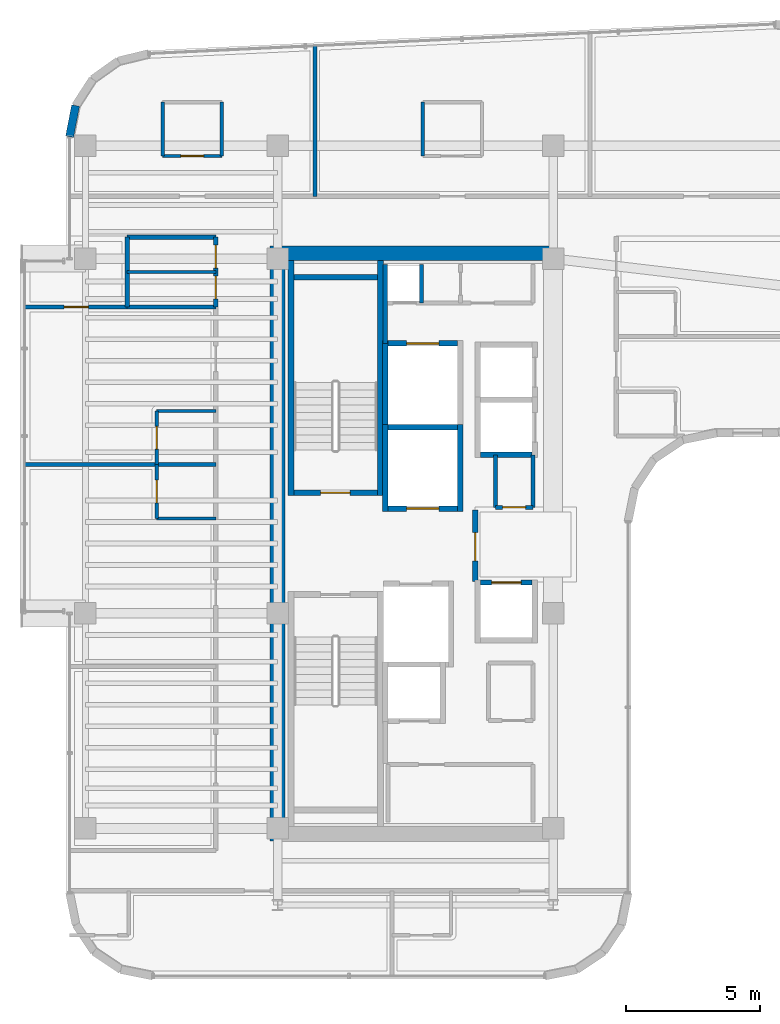
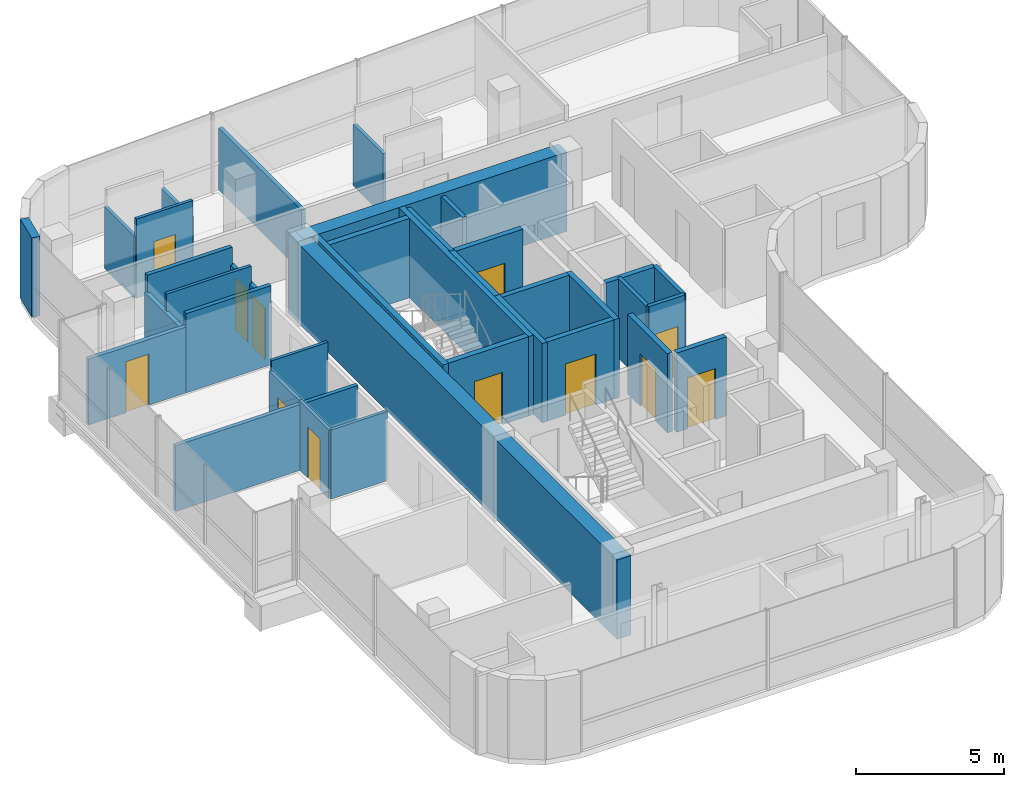
# One storey, part 15 of 20: 37 walls, 12 doors, 12 openings.
"""IFC4 building model written with IfcOpenShell, lengths in metres."""

from ifc_helpers import new_model, si_unit, direction, frame, frame_2d, origin, place, context, subcontext, project, spatial, rectangle, extrude, material, layer, layer_set, type_object, element, fill, save


model = new_model("IFC4")

# Units and contexts
model_context = context("Model", 3, precision=1e-05, world=origin(), true_north=direction((0.0, 1.0)))
body_context = subcontext(model_context, "Body", "Model", "MODEL_VIEW")
ifc_project = project(units=[si_unit("LENGTHUNIT", "METRE"), si_unit("AREAUNIT", "SQUARE_METRE"), si_unit("VOLUMEUNIT", "CUBIC_METRE"), si_unit("PLANEANGLEUNIT", "RADIAN"), si_unit("MASSUNIT", "GRAM", prefix="KILO")], contexts=[model_context])

# Site, building, storey
site_placement = place(None, origin())
site = spatial("IfcSite", under=ifc_project, at=site_placement, CompositionType="ELEMENT")
building_placement = place(site_placement, origin())
building = spatial("IfcBuilding", under=site, at=building_placement, Name="Valdorenza Pilgrim Sanctuary Tower", CompositionType="ELEMENT")
storey_placement = place(building_placement, frame((0.0, 0.0, 240.5)))
storey = spatial("IfcBuildingStorey", under=building, at=storey_placement, Name="L62", CompositionType="ELEMENT", Elevation=240.5)

# Walls
ifc_material_1 = material(Name="Acoustic twin-stud gypsum partition", Category="gypsum")
ifc_layer_1 = layer(ifc_material_1, 0.159912109375, Name="Acoustic twin-stud gypsum partition")
ifc_layer_set_1 = layer_set([ifc_layer_1], Name="Acoustic twin-stud gypsum partition")
wall_type_1 = type_object("IfcWallType", Name="WAL-COR-160", PredefinedType="PARTITIONING", material=ifc_layer_set_1)
wall_1_placement = place(storey_placement, frame((-18.64990234375, 7.449951171875, 0.0), z_axis=(0.0, 0.0, 1.0), x_axis=(0.0, 1.0, 0.0)))
element("IfcWall", 1, at=wall_1_placement, inside=storey, type_object=wall_type_1, Name="L62 Core A North Service West Wall", PredefinedType="PARTITIONING", context=body_context, shape_type="SweptSolid", body=[
    extrude(rectangle(XDim=2.929931640625, YDim=0.159912109375, at=frame_2d((1.46484375, 0.0))), origin(), (0.0, 0.0, 1.0), 3.260009765625),
])
wall_2_placement = place(storey_placement, frame((-17.300048828125, 8.949951171875, 0.0), z_axis=(0.0, 0.0, 1.0), x_axis=(0.0, 1.0, 0.0)))
element("IfcWall", 2, at=wall_2_placement, inside=storey, type_object=wall_type_1, Name="L62 Core Electrical Riser Wall", PredefinedType="PARTITIONING", context=body_context, shape_type="SweptSolid", body=[
    extrude(rectangle(XDim=1.429931640625, YDim=0.159912109375, at=frame_2d((0.71484375, 0.0))), origin(), (0.0, 0.0, 1.0), 3.260009765625),
])
wall_3_placement = place(storey_placement, frame((-13.14990234375, 1.35009765625, 0.0), z_axis=(0.0, 0.0, 1.0), x_axis=(0.0, 1.0, 0.0)))
element("IfcWall", 3, at=wall_3_placement, inside=storey, type_object=wall_type_1, Name="L62 Freed Shaft 6 East Wall", PredefinedType="PARTITIONING", context=body_context, shape_type="SweptSolid", body=[
    extrude(rectangle(XDim=1.949951171875, YDim=0.159912109375, at=frame_2d((0.97509765625, 0.0))), origin(), (0.0, 0.0, 1.0), 3.260009765625),
])
wall_4_placement = place(storey_placement, frame((-28.25, 8.800048828125, 0.0), z_axis=(0.0, 0.0, 1.0), x_axis=(0.0, 1.0, 0.0)))
element("IfcWall", 4, at=wall_4_placement, inside=storey, type_object=wall_type_1, Name="L62 Washroom West Wall", PredefinedType="PARTITIONING", context=body_context, shape_type="SweptSolid", body=[
    extrude(rectangle(XDim=2.599853515625, YDim=0.159912109375, at=frame_2d((1.2998046875, 0.0))), origin(), (0.0, 0.0, 1.0), 2.5439453125),
])

# Wall, openings, doors
wall_5_placement = place(storey_placement, frame((-24.949951171875, 8.800048828125, 0.0), z_axis=(0.0, 0.0, 1.0), x_axis=(0.0, 1.0, 0.0)))
wall_5 = element("IfcWall", 5, at=wall_5_placement, inside=storey, type_object=wall_type_1, Name="L62 Washroom East Wall", PredefinedType="PARTITIONING", context=body_context, shape_type="SweptSolid", body=[
    extrude(rectangle(XDim=2.599853515625, YDim=0.159912109375, at=frame_2d((1.2998046875, 0.0))), origin(), (0.0, 0.0, 1.0), 2.5439453125),
])
opening_1_placement = place(wall_5_placement, frame((0.300048828125, 0.0, 0.0)))
opening_1 = element("IfcOpeningElement", 6, at=opening_1_placement, cuts=wall_5, Name="Opening DR-WC1", PredefinedType="OPENING", context=body_context, shape_type="SweptSolid", body=[
    extrude(rectangle(XDim=0.85009765625, YDim=2.10009765625, at=frame_2d((0.425048828125, 1.050048828125))), frame((0.0, 0.0947265625, 0.0), z_axis=(0.0, -1.0, 0.0), x_axis=(1.0, 0.0, 0.0)), (0.0, 0.0, 1.0), 0.189697265625),
])
opening_2_placement = place(wall_5_placement, frame((1.449951171875, 0.0, 0.0)))
opening_2 = element("IfcOpeningElement", 7, at=opening_2_placement, cuts=wall_5, Name="Opening DR-WC1", PredefinedType="OPENING", context=body_context, shape_type="SweptSolid", body=[
    extrude(rectangle(XDim=0.85009765625, YDim=2.10009765625, at=frame_2d((0.425048828125, 1.050048828125))), frame((0.0, 0.0947265625, 0.0), z_axis=(0.0, -1.0, 0.0), x_axis=(1.0, 0.0, 0.0)), (0.0, 0.0, 1.0), 0.189697265625),
])
ifc_material_2 = material(Name="Moisture-resistant lacquered timber", Category="wood")
door_type_1 = type_object("IfcDoorType", Name="DR-BATH-850", OperationType="NOTDEFINED", PredefinedType="DOOR", material=ifc_material_2)
door_1_placement = place(opening_1_placement, origin())
door_1 = element("IfcDoor", 8, at=door_1_placement, inside=storey, type_object=door_type_1, Name="L62 Accessible Washroom Door", OperationType="SINGLE_SWING_LEFT", OverallHeight=2.10009765625, OverallWidth=0.85009765625, PredefinedType="DOOR", context=body_context, shape_type="SweptSolid", body=[
    extrude(rectangle(XDim=0.85009765625, YDim=2.10009765625, at=frame_2d((0.425048828125, 1.050048828125))), frame((0.0, 0.02490234375, 0.0), z_axis=(0.0, -1.0, 0.0), x_axis=(1.0, 0.0, 0.0)), (0.0, 0.0, 1.0), 0.050048828125),
])
fill(opening_1, door_1)
door_2_placement = place(opening_2_placement, origin())
door_2 = element("IfcDoor", 9, at=door_2_placement, inside=storey, type_object=door_type_1, Name="L62 Public Washroom Door", OperationType="SINGLE_SWING_RIGHT", OverallHeight=2.10009765625, OverallWidth=0.85009765625, PredefinedType="DOOR", context=body_context, shape_type="SweptSolid", body=[
    extrude(rectangle(XDim=0.85009765625, YDim=2.10009765625, at=frame_2d((0.425048828125, 1.050048828125))), frame((0.0, 0.02490234375, 0.0), z_axis=(0.0, -1.0, 0.0), x_axis=(1.0, 0.0, 0.0)), (0.0, 0.0, 1.0), 0.050048828125),
])
fill(opening_2, door_2)

# Walls
for number, where, z_axis, x_axis, name in (
    (10, (-28.25, 8.800048828125, 0.0), (0.0, 0.0, 1.0), (1.0, 0.0, 0.0), "L62 Washroom South Wall"),
    (11, (-28.25, 11.39990234375, 0.0), (0.0, 0.0, 1.0), (1.0, 0.0, 0.0), "L62 Washroom North Wall"),
):
    element("IfcWall", number, at=place(storey_placement, frame(where, z_axis=z_axis, x_axis=x_axis)), inside=storey, type_object=wall_type_1, Name=name, PredefinedType="PARTITIONING", context=body_context, shape_type="SweptSolid", body=[
        extrude(rectangle(XDim=3.300048828125, YDim=0.159912109375, at=frame_2d((1.64990234375, 0.0))), origin(), (0.0, 0.0, 1.0), 3.260009765625),
    ])

# Wall, opening, door
wall_6_placement = place(storey_placement, frame((-32.0400390625, 8.800048828125, 0.0), z_axis=(0.0, 0.0, 1.0), x_axis=(1.0, 0.0, 0.0)))
wall_6 = element("IfcWall", 12, at=wall_6_placement, inside=storey, type_object=wall_type_1, Name="L62 West North Alcove Wall", PredefinedType="PARTITIONING", context=body_context, shape_type="SweptSolid", body=[
    extrude(rectangle(XDim=3.7900390625, YDim=0.159912109375, at=frame_2d((1.89501953125, 0.0))), origin(), (0.0, 0.0, 1.0), 2.7060546875),
])
opening_3_placement = place(wall_6_placement, frame((1.445068359375, 0.0, 0.0)))
opening_3 = element("IfcOpeningElement", 13, at=opening_3_placement, cuts=wall_6, Name="Opening DR-RM1", PredefinedType="OPENING", context=body_context, shape_type="SweptSolid", body=[
    extrude(rectangle(XDim=0.89990234375, YDim=2.10009765625, at=frame_2d((0.449951171875, 1.050048828125))), frame((0.0, 0.0947265625, 0.0), z_axis=(0.0, -1.0, 0.0), x_axis=(1.0, 0.0, 0.0)), (0.0, 0.0, 1.0), 0.189697265625),
])
ifc_material_3 = material(Name="Solid-core European oak timber", Category="wood")
door_type_2 = type_object("IfcDoorType", Name="DR-ROOM-900", OperationType="NOTDEFINED", PredefinedType="DOOR", material=ifc_material_3)
door_3_placement = place(opening_3_placement, frame((0.89990234375, 0.0, 0.0), z_axis=(0.0, 0.0, 1.0), x_axis=(-1.0, 0.0, 0.0)))
door_3 = element("IfcDoor", 14, at=door_3_placement, inside=storey, type_object=door_type_2, Name="L62 Pilgrim Scholar Office L62-WN Door", OperationType="SINGLE_SWING_LEFT", OverallHeight=2.10009765625, OverallWidth=0.89990234375, PredefinedType="DOOR", context=body_context, shape_type="SweptSolid", body=[
    extrude(rectangle(XDim=0.89990234375, YDim=2.10009765625, at=frame_2d((0.449951171875, 1.050048828125))), frame((0.0, 0.02490234375, 0.0), z_axis=(0.0, -1.0, 0.0), x_axis=(1.0, 0.0, 0.0)), (0.0, 0.0, 1.0), 0.050048828125),
])
fill(opening_3, door_3)

# Walls
ifc_material_4 = material(Name="Concrete C50/60", Category="concrete")
ifc_layer_2 = layer(ifc_material_4, 0.550048828125, Name="Concrete C50/60")
ifc_layer_set_2 = layer_set([ifc_layer_2], Name="Concrete C50/60")
wall_type_2 = type_object("IfcWallType", Name="WAL-COR-550", PredefinedType="SHEAR", material=ifc_layer_set_2)
wall_7_placement = place(storey_placement, frame((-22.64990234375, -11.074951171875, 0.0), z_axis=(0.0, 0.0, 1.0), x_axis=(0.0, 1.0, 0.0)))
element("IfcWall", 15, at=wall_7_placement, inside=storey, type_object=wall_type_2, Name="L62 Split Core A Shear Wall W", PredefinedType="SHEAR", context=body_context, shape_type="SweptSolid", body=[
    extrude(rectangle(XDim=22.14990234375, YDim=0.550048828125, at=frame_2d((11.074951171875, 0.0))), origin(), (0.0, 0.0, 1.0), 3.260009765625),
])
wall_8_placement = place(storey_placement, frame((-22.64990234375, 10.800048828125, 0.0), z_axis=(0.0, 0.0, 1.0), x_axis=(1.0, 0.0, 0.0)))
element("IfcWall", 16, at=wall_8_placement, inside=storey, type_object=wall_type_2, Name="L62 Split Core A Shear Wall N", PredefinedType="SHEAR", context=body_context, shape_type="SweptSolid", body=[
    extrude(rectangle(XDim=10.25, YDim=0.550048828125, at=frame_2d((5.125, 0.0))), origin(), (0.0, 0.0, 1.0), 3.260009765625),
])
ifc_material_5 = material(Name="Honed travertine limestone", Category="masonry")
ifc_layer_3 = layer(ifc_material_5, 0.300048828125, Name="Honed travertine limestone")
ifc_layer_set_3 = layer_set([ifc_layer_3], Name="Honed travertine limestone")
wall_type_3 = type_object("IfcWallType", Name="WAL-EXT-300", PredefinedType="SOLIDWALL", material=ifc_layer_set_3)
wall_9_placement = place(storey_placement, frame((-30.389892578125, 15.13671875, 0.0), z_axis=(0.0, 0.0, 1.0), x_axis=(0.189307792679, 0.981917796779, 0.0)))
element("IfcWall", 17, at=wall_9_placement, inside=storey, type_object=wall_type_3, Name="L62 Rounded Wind-Corner Stone Pier 2", PredefinedType="SOLIDWALL", context=body_context, shape_type="SweptSolid", body=[
    extrude(rectangle(XDim=1.179931640625, YDim=0.300048828125, at=frame_2d((0.58984375, 0.0))), origin(), (0.0, 0.0, 1.0), 3.260009765625),
])

# Wall, opening, door
ifc_material_6 = material(Name="Gypsum shaftwall partition", Category="gypsum")
ifc_layer_4 = layer(ifc_material_6, 0.199951171875, Name="Gypsum shaftwall partition")
ifc_layer_set_4 = layer_set([ifc_layer_4], Name="Gypsum shaftwall partition")
wall_type_4 = type_object("IfcWallType", Name="WAL-FFL-200", PredefinedType="PARTITIONING", material=ifc_layer_set_4)
wall_10_placement = place(storey_placement, frame((-15.300048828125, -1.419921875, 0.0), z_axis=(0.0, 0.0, 1.0), x_axis=(0.0, 1.0, 0.0)))
wall_10 = element("IfcWall", 18, at=wall_10_placement, inside=storey, type_object=wall_type_4, Name="L62 Core A Firefighting Lobby East Wall", PredefinedType="PARTITIONING", context=body_context, shape_type="SweptSolid", body=[
    extrude(rectangle(XDim=2.669921875, YDim=0.199951171875, at=frame_2d((1.3349609375, 0.0))), origin(), (0.0, 0.0, 1.0), 3.260009765625),
])
opening_4_placement = place(wall_10_placement, frame((0.780029296875, 0.0, 0.0)))
opening_4 = element("IfcOpeningElement", 19, at=opening_4_placement, cuts=wall_10, Name="Opening DR-FL1", PredefinedType="OPENING", context=body_context, shape_type="SweptSolid", body=[
    extrude(rectangle(XDim=1.050048828125, YDim=2.14990234375, at=frame_2d((0.52490234375, 1.074951171875))), frame((0.0, 0.11474609375, 0.0), z_axis=(0.0, -1.0, 0.0), x_axis=(1.0, 0.0, 0.0)), (0.0, 0.0, 1.0), 0.229736328125),
])
ifc_material_7 = material(Name="Painted galvanized steel", Category="steel")
door_type_3 = type_object("IfcDoorType", Name="DR-FFL-1050", OperationType="NOTDEFINED", PredefinedType="DOOR", material=ifc_material_7)
door_4_placement = place(opening_4_placement, origin())
door_4 = element("IfcDoor", 20, at=door_4_placement, inside=storey, type_object=door_type_3, Name="L62 Core A Firefighting Lobby Door", OperationType="SINGLE_SWING_RIGHT", OverallHeight=2.14990234375, OverallWidth=1.050048828125, PredefinedType="DOOR", context=body_context, shape_type="SweptSolid", body=[
    extrude(rectangle(XDim=1.050048828125, YDim=2.14990234375, at=frame_2d((0.52490234375, 1.074951171875))), frame((0.0, 0.02490234375, 0.0), z_axis=(0.0, -1.0, 0.0), x_axis=(1.0, 0.0, 0.0)), (0.0, 0.0, 1.0), 0.050048828125),
])
fill(opening_4, door_4)

# Walls
ifc_material_8 = material(Name="Moisture-resistant gypsum partition", Category="gypsum")
ifc_layer_5 = layer(ifc_material_8, 0.1201171875, Name="Moisture-resistant gypsum partition")
ifc_layer_set_5 = layer_set([ifc_layer_5], Name="Moisture-resistant gypsum partition")
wall_type_5 = type_object("IfcWallType", Name="WAL-INT-120", PredefinedType="PARTITIONING", material=ifc_layer_set_5)
wall_11_placement = place(storey_placement, frame((-28.25, 10.10009765625, 0.0), z_axis=(0.0, 0.0, 1.0), x_axis=(1.0, 0.0, 0.0)))
element("IfcWall", 21, at=wall_11_placement, inside=storey, type_object=wall_type_5, Name="L62 Washroom Divider Wall", PredefinedType="PARTITIONING", context=body_context, shape_type="SweptSolid", body=[
    extrude(rectangle(XDim=3.300048828125, YDim=0.1201171875, at=frame_2d((1.64990234375, 0.0))), origin(), (0.0, 0.0, 1.0), 3.260009765625),
])
wall_12_placement = place(storey_placement, frame((-27.14990234375, 0.93603515625, 0.0), z_axis=(0.0, 0.0, 1.0), x_axis=(1.0, 0.0, 0.0)))
element("IfcWall", 22, at=wall_12_placement, inside=storey, type_object=wall_type_5, Name="L62 Pilgrim Guest Room L62-HW1 En-suite South Wall", PredefinedType="PARTITIONING", context=body_context, shape_type="SweptSolid", body=[
    extrude(rectangle(XDim=2.199951171875, YDim=0.1201171875, at=frame_2d((1.10009765625, 0.0))), origin(), (0.0, 0.0, 1.0), 2.839111328125),
])

# Wall, opening, door
wall_13_placement = place(storey_placement, frame((-27.14990234375, 0.93603515625, 0.0), z_axis=(0.0, 0.0, 1.0), x_axis=(0.0, 1.0, 0.0)))
wall_13 = element("IfcWall", 23, at=wall_13_placement, inside=storey, type_object=wall_type_5, Name="L62 Pilgrim Guest Room L62-HW1 En-suite Door Wall", PredefinedType="PARTITIONING", context=body_context, shape_type="SweptSolid", body=[
    extrude(rectangle(XDim=2.0, YDim=0.1201171875, at=frame_2d((1.0, 0.0))), origin(), (0.0, 0.0, 1.0), 2.839111328125),
])
opening_5_placement = place(wall_13_placement, frame((0.574951171875, 0.0, 0.0)))
opening_5 = element("IfcOpeningElement", 24, at=opening_5_placement, cuts=wall_13, Name="Opening DR-WC1", PredefinedType="OPENING", context=body_context, shape_type="SweptSolid", body=[
    extrude(rectangle(XDim=0.85009765625, YDim=2.10009765625, at=frame_2d((0.425048828125, 1.050048828125))), frame((0.0, 0.074951171875, 0.0), z_axis=(0.0, -1.0, 0.0), x_axis=(1.0, 0.0, 0.0)), (0.0, 0.0, 1.0), 0.14990234375),
])
door_5_placement = place(opening_5_placement, origin())
door_5 = element("IfcDoor", 25, at=door_5_placement, inside=storey, type_object=door_type_1, Name="L62 Pilgrim Guest Room L62-HW1 En-suite Bathroom Door", OperationType="SINGLE_SWING_RIGHT", OverallHeight=2.10009765625, OverallWidth=0.85009765625, PredefinedType="DOOR", context=body_context, shape_type="SweptSolid", body=[
    extrude(rectangle(XDim=0.85009765625, YDim=2.10009765625, at=frame_2d((0.425048828125, 1.050048828125))), frame((0.0, 0.02490234375, 0.0), z_axis=(0.0, -1.0, 0.0), x_axis=(1.0, 0.0, 0.0)), (0.0, 0.0, 1.0), 0.050048828125),
])
fill(opening_5, door_5)

# Wall
wall_14_placement = place(storey_placement, frame((-27.14990234375, 4.93603515625, 0.0), z_axis=(0.0, 0.0, 1.0), x_axis=(1.0, 0.0, 0.0)))
element("IfcWall", 26, at=wall_14_placement, inside=storey, type_object=wall_type_5, Name="L62 Pilgrim Guest Room L62-HW2 En-suite North Wall", PredefinedType="PARTITIONING", context=body_context, shape_type="SweptSolid", body=[
    extrude(rectangle(XDim=2.199951171875, YDim=0.1201171875, at=frame_2d((1.10009765625, 0.0))), origin(), (0.0, 0.0, 1.0), 3.260009765625),
])

# Wall, opening, door
wall_15_placement = place(storey_placement, frame((-27.14990234375, 2.93603515625, 0.0), z_axis=(0.0, 0.0, 1.0), x_axis=(0.0, 1.0, 0.0)))
wall_15 = element("IfcWall", 27, at=wall_15_placement, inside=storey, type_object=wall_type_5, Name="L62 Pilgrim Guest Room L62-HW2 En-suite Door Wall", PredefinedType="PARTITIONING", context=body_context, shape_type="SweptSolid", body=[
    extrude(rectangle(XDim=2.0, YDim=0.1201171875, at=frame_2d((1.0, 0.0))), origin(), (0.0, 0.0, 1.0), 2.839111328125),
])
opening_6_placement = place(wall_15_placement, frame((0.574951171875, 0.0, 0.0)))
opening_6 = element("IfcOpeningElement", 28, at=opening_6_placement, cuts=wall_15, Name="Opening DR-WC1", PredefinedType="OPENING", context=body_context, shape_type="SweptSolid", body=[
    extrude(rectangle(XDim=0.85009765625, YDim=2.10009765625, at=frame_2d((0.425048828125, 1.050048828125))), frame((0.0, 0.074951171875, 0.0), z_axis=(0.0, -1.0, 0.0), x_axis=(1.0, 0.0, 0.0)), (0.0, 0.0, 1.0), 0.14990234375),
])
door_6_placement = place(opening_6_placement, origin())
door_6 = element("IfcDoor", 29, at=door_6_placement, inside=storey, type_object=door_type_1, Name="L62 Pilgrim Guest Room L62-HW2 En-suite Bathroom Door", OperationType="SINGLE_SWING_RIGHT", OverallHeight=2.10009765625, OverallWidth=0.85009765625, PredefinedType="DOOR", context=body_context, shape_type="SweptSolid", body=[
    extrude(rectangle(XDim=0.85009765625, YDim=2.10009765625, at=frame_2d((0.425048828125, 1.050048828125))), frame((0.0, 0.02490234375, 0.0), z_axis=(0.0, -1.0, 0.0), x_axis=(1.0, 0.0, 0.0)), (0.0, 0.0, 1.0), 0.050048828125),
])
fill(opening_6, door_6)

# Walls
for number, where, z_axis, x_axis, name in (
    (30, (-26.928466796875, 14.419921875, 0.0), (0.0, 0.0, 1.0), (0.0, 1.0, 0.0), "L62 North Guest Room L62-N1 En-suite West Wall"),
    (31, (-24.728515625, 14.419921875, 0.0), (0.0, 0.0, 1.0), (0.0, 1.0, 0.0), "L62 North Guest Room L62-N1 En-suite East Wall"),
):
    element("IfcWall", number, at=place(storey_placement, frame(where, z_axis=z_axis, x_axis=x_axis)), inside=storey, type_object=wall_type_5, Name=name, PredefinedType="PARTITIONING", context=body_context, shape_type="SweptSolid", body=[
        extrude(rectangle(XDim=2.0, YDim=0.1201171875, at=frame_2d((1.0, 0.0))), origin(), (0.0, 0.0, 1.0), 2.5439453125),
    ])

# Wall, opening, door
wall_16_placement = place(storey_placement, frame((-26.928466796875, 14.419921875, 0.0), z_axis=(0.0, 0.0, 1.0), x_axis=(1.0, 0.0, 0.0)))
wall_16 = element("IfcWall", 32, at=wall_16_placement, inside=storey, type_object=wall_type_5, Name="L62 North Guest Room L62-N1 En-suite Door Wall", PredefinedType="PARTITIONING", context=body_context, shape_type="SweptSolid", body=[
    extrude(rectangle(XDim=2.199951171875, YDim=0.1201171875, at=frame_2d((1.10009765625, 0.0))), origin(), (0.0, 0.0, 1.0), 3.260009765625),
])
opening_7_placement = place(wall_16_placement, frame((0.675048828125, 0.0, 0.0)))
opening_7 = element("IfcOpeningElement", 33, at=opening_7_placement, cuts=wall_16, Name="Opening DR-WC1", PredefinedType="OPENING", context=body_context, shape_type="SweptSolid", body=[
    extrude(rectangle(XDim=0.85009765625, YDim=2.10009765625, at=frame_2d((0.425048828125, 1.050048828125))), frame((0.0, 0.074951171875, 0.0), z_axis=(0.0, -1.0, 0.0), x_axis=(1.0, 0.0, 0.0)), (0.0, 0.0, 1.0), 0.14990234375),
])
door_7_placement = place(opening_7_placement, origin())
door_7 = element("IfcDoor", 34, at=door_7_placement, inside=storey, type_object=door_type_1, Name="L62 North Guest Room L62-N1 En-suite Bathroom Door", OperationType="SINGLE_SWING_RIGHT", OverallHeight=2.10009765625, OverallWidth=0.85009765625, PredefinedType="DOOR", context=body_context, shape_type="SweptSolid", body=[
    extrude(rectangle(XDim=0.85009765625, YDim=2.10009765625, at=frame_2d((0.425048828125, 1.050048828125))), frame((0.0, 0.02490234375, 0.0), z_axis=(0.0, -1.0, 0.0), x_axis=(1.0, 0.0, 0.0)), (0.0, 0.0, 1.0), 0.050048828125),
])
fill(opening_7, door_7)

# Walls
wall_17_placement = place(storey_placement, frame((-17.25, 14.419921875, 0.0), z_axis=(0.0, 0.0, 1.0), x_axis=(0.0, 1.0, 0.0)))
element("IfcWall", 35, at=wall_17_placement, inside=storey, type_object=wall_type_5, Name="L62 North Guest Room L62-N2 En-suite West Wall", PredefinedType="PARTITIONING", context=body_context, shape_type="SweptSolid", body=[
    extrude(rectangle(XDim=2.0, YDim=0.1201171875, at=frame_2d((1.0, 0.0))), origin(), (0.0, 0.0, 1.0), 2.5439453125),
])
ifc_material_9 = material(Name="Autoclaved aerated concrete blockwork", Category="masonry")
ifc_layer_6 = layer(ifc_material_9, 0.199951171875, Name="Autoclaved aerated concrete blockwork")
ifc_layer_set_6 = layer_set([ifc_layer_6], Name="Autoclaved aerated concrete blockwork")
wall_type_6 = type_object("IfcWallType", Name="WAL-SHF-200", PredefinedType="MOVABLE", material=ifc_layer_set_6)
for number, where, z_axis, x_axis, name in (
    (36, (-18.64990234375, 1.199951171875, 0.0), (0.0, 0.0, 1.0), (0.0, 1.0, 0.0), "L62 Lift FFL-01 Hoistway Wall West"),
    (37, (-15.85009765625, 1.199951171875, 0.0), (0.0, 0.0, 1.0), (0.0, 1.0, 0.0), "L62 Lift FFL-01 Hoistway Wall East"),
):
    element("IfcWall", number, at=place(storey_placement, frame(where, z_axis=z_axis, x_axis=x_axis)), inside=storey, type_object=wall_type_6, Name=name, PredefinedType="MOVABLE", context=body_context, shape_type="SweptSolid", body=[
        extrude(rectangle(XDim=3.22509765625, YDim=0.199951171875, at=frame_2d((1.612548828125, 0.0))), origin(), (0.0, 0.0, 1.0), 3.260009765625),
    ])

# Wall, opening, door
wall_18_placement = place(storey_placement, frame((-18.550048828125, 1.300048828125, 0.0), z_axis=(0.0, 0.0, 1.0), x_axis=(1.0, 0.0, 0.0)))
wall_18 = element("IfcWall", 38, at=wall_18_placement, inside=storey, type_object=wall_type_6, Name="L62 Lift FFL-01 Hoistway Wall South", PredefinedType="MOVABLE", context=body_context, shape_type="SweptSolid", body=[
    extrude(rectangle(XDim=2.60009765625, YDim=0.199951171875, at=frame_2d((1.300048828125, 0.0))), origin(), (0.0, 0.0, 1.0), 3.260009765625),
])
opening_8_placement = place(wall_18_placement, frame((0.699951171875, 0.0, 0.0)))
opening_8 = element("IfcOpeningElement", 39, at=opening_8_placement, cuts=wall_18, Name="Opening LD-02", PredefinedType="OPENING", context=body_context, shape_type="SweptSolid", body=[
    extrude(rectangle(XDim=1.199951171875, YDim=2.10009765625, at=frame_2d((0.60009765625, 1.050048828125))), frame((0.0, 0.11474609375, 0.0), z_axis=(0.0, -1.0, 0.0), x_axis=(1.0, 0.0, 0.0)), (0.0, 0.0, 1.0), 0.229736328125),
])
ifc_material_10 = material(Name="Brushed stainless steel Grade 316", Category="steel")
door_type_4 = type_object("IfcDoorType", Name="DR-LFT-1200", OperationType="DOUBLE_DOOR_SLIDING", PredefinedType="DOOR", material=ifc_material_10)
door_8_placement = place(opening_8_placement, origin())
door_8 = element("IfcDoor", 40, at=door_8_placement, inside=storey, type_object=door_type_4, Name="L62 Lift FFL-01 Sliding Landing Door", OperationType="DOUBLE_DOOR_SLIDING", OverallHeight=2.10009765625, OverallWidth=1.199951171875, PredefinedType="DOOR", context=body_context, shape_type="SweptSolid", body=[
    extrude(rectangle(XDim=1.199951171875, YDim=2.10009765625, at=frame_2d((0.60009765625, 1.050048828125))), frame((0.0, 0.02490234375, 0.0), z_axis=(0.0, -1.0, 0.0), x_axis=(1.0, 0.0, 0.0)), (0.0, 0.0, 1.0), 0.050048828125),
])
fill(opening_8, door_8)

# Walls
wall_19_placement = place(storey_placement, frame((-18.550048828125, 4.324951171875, 0.0), z_axis=(0.0, 0.0, 1.0), x_axis=(1.0, 0.0, 0.0)))
element("IfcWall", 41, at=wall_19_placement, inside=storey, type_object=wall_type_6, Name="L62 Lift FFL-01 Hoistway Wall North", PredefinedType="MOVABLE", context=body_context, shape_type="SweptSolid", body=[
    extrude(rectangle(XDim=2.60009765625, YDim=0.199951171875, at=frame_2d((1.300048828125, 0.0))), origin(), (0.0, 0.0, 1.0), 3.260009765625),
])
wall_20_placement = place(storey_placement, frame((-18.64990234375, 4.22509765625, 0.0), z_axis=(0.0, 0.0, 1.0), x_axis=(0.0, 1.0, 0.0)))
element("IfcWall", 42, at=wall_20_placement, inside=storey, type_object=wall_type_6, Name="L62 Lift SVL-01 Hoistway Wall West", PredefinedType="MOVABLE", context=body_context, shape_type="SweptSolid", body=[
    extrude(rectangle(XDim=3.324951171875, YDim=0.199951171875, at=frame_2d((1.66259765625, 0.0))), origin(), (0.0, 0.0, 1.0), 3.260009765625),
])

# Wall, opening, door
wall_21_placement = place(storey_placement, frame((-18.550048828125, 7.449951171875, 0.0), z_axis=(0.0, 0.0, 1.0), x_axis=(1.0, 0.0, 0.0)))
wall_21 = element("IfcWall", 43, at=wall_21_placement, inside=storey, type_object=wall_type_6, Name="L62 Lift SVL-01 Hoistway Wall North", PredefinedType="MOVABLE", context=body_context, shape_type="SweptSolid", body=[
    extrude(rectangle(XDim=2.60009765625, YDim=0.199951171875, at=frame_2d((1.300048828125, 0.0))), origin(), (0.0, 0.0, 1.0), 3.260009765625),
])
opening_9_placement = place(wall_21_placement, frame((0.699951171875, 0.0, 0.0)))
opening_9 = element("IfcOpeningElement", 44, at=opening_9_placement, cuts=wall_21, Name="Opening LD-02", PredefinedType="OPENING", context=body_context, shape_type="SweptSolid", body=[
    extrude(rectangle(XDim=1.199951171875, YDim=2.10009765625, at=frame_2d((0.60009765625, 1.050048828125))), frame((0.0, 0.11474609375, 0.0), z_axis=(0.0, -1.0, 0.0), x_axis=(1.0, 0.0, 0.0)), (0.0, 0.0, 1.0), 0.229736328125),
])
door_9_placement = place(opening_9_placement, origin())
door_9 = element("IfcDoor", 45, at=door_9_placement, inside=storey, type_object=door_type_4, Name="L62 Lift SVL-01 Sliding Landing Door", OperationType="DOUBLE_DOOR_SLIDING", OverallHeight=2.10009765625, OverallWidth=1.199951171875, PredefinedType="DOOR", context=body_context, shape_type="SweptSolid", body=[
    extrude(rectangle(XDim=1.199951171875, YDim=2.10009765625, at=frame_2d((0.60009765625, 1.050048828125))), frame((0.0, 0.02490234375, 0.0), z_axis=(0.0, -1.0, 0.0), x_axis=(1.0, 0.0, 0.0)), (0.0, 0.0, 1.0), 0.050048828125),
])
fill(opening_9, door_9)

# Wall
wall_22_placement = place(storey_placement, frame((-15.10009765625, 3.300048828125, 0.0), z_axis=(0.0, 0.0, 1.0), x_axis=(1.0, 0.0, 0.0)))
element("IfcWall", 46, at=wall_22_placement, inside=storey, type_object=wall_type_6, Name="L62 Lift PL-09 Hoistway Wall South", PredefinedType="MOVABLE", context=body_context, shape_type="SweptSolid", body=[
    extrude(rectangle(XDim=1.920166015625, YDim=0.199951171875, at=frame_2d((0.9599609375, 0.0))), origin(), (0.0, 0.0, 1.0), 3.260009765625),
])

# Wall, opening, door
wall_23_placement = place(storey_placement, frame((-15.10009765625, -1.449951171875, 0.0), z_axis=(0.0, 0.0, 1.0), x_axis=(1.0, 0.0, 0.0)))
wall_23 = element("IfcWall", 47, at=wall_23_placement, inside=storey, type_object=wall_type_6, Name="L62 Lift PL-12 Hoistway Wall North", PredefinedType="MOVABLE", context=body_context, shape_type="SweptSolid", body=[
    extrude(rectangle(XDim=1.920166015625, YDim=0.199951171875, at=frame_2d((0.9599609375, 0.0))), origin(), (0.0, 0.0, 1.0), 3.260009765625),
])
opening_10_placement = place(wall_23_placement, frame((0.409912109375, 0.0, 0.0)))
opening_10 = element("IfcOpeningElement", 48, at=opening_10_placement, cuts=wall_23, Name="Opening LD-01", PredefinedType="OPENING", context=body_context, shape_type="SweptSolid", body=[
    extrude(rectangle(XDim=1.10009765625, YDim=2.10009765625, at=frame_2d((0.550048828125, 1.050048828125))), frame((0.0, 0.11474609375, 0.0), z_axis=(0.0, -1.0, 0.0), x_axis=(1.0, 0.0, 0.0)), (0.0, 0.0, 1.0), 0.229736328125),
])
door_type_5 = type_object("IfcDoorType", Name="DR-LFT-1100", OperationType="DOUBLE_DOOR_SLIDING", PredefinedType="DOOR", material=ifc_material_10)
door_10_placement = place(opening_10_placement, origin())
door_10 = element("IfcDoor", 49, at=door_10_placement, inside=storey, type_object=door_type_5, Name="L62 Lift PL-12 Sliding Landing Door", OperationType="DOUBLE_DOOR_SLIDING", OverallHeight=2.10009765625, OverallWidth=1.10009765625, PredefinedType="DOOR", context=body_context, shape_type="SweptSolid", body=[
    extrude(rectangle(XDim=1.10009765625, YDim=2.10009765625, at=frame_2d((0.550048828125, 1.050048828125))), frame((0.0, 0.02490234375, 0.0), z_axis=(0.0, -1.0, 0.0), x_axis=(1.0, 0.0, 0.0)), (0.0, 0.0, 1.0), 0.050048828125),
])
fill(opening_10, door_10)

# Walls
ifc_material_11 = material(Name="Concrete C40/50", Category="concrete")
ifc_layer_7 = layer(ifc_material_11, 0.219970703125, Name="Concrete C40/50")
ifc_layer_set_7 = layer_set([ifc_layer_7], Name="Concrete C40/50")
wall_type_7 = type_object("IfcWallType", Name="WAL-STR-SHF-220", PredefinedType="SHEAR", material=ifc_layer_set_7)
for number, where, z_axis, x_axis, name in (
    (50, (-22.159912109375, 1.780029296875, 0.0), (0.0, 0.0, 1.0), (0.0, 1.0, 0.0), "L62 ST-A1 Structural Stairwell Wall W"),
    (51, (-18.830078125, 1.780029296875, 0.0), (0.0, 0.0, 1.0), (0.0, 1.0, 0.0), "L62 ST-A1 Structural Stairwell Wall E"),
):
    element("IfcWall", number, at=place(storey_placement, frame(where, z_axis=z_axis, x_axis=x_axis)), inside=storey, type_object=wall_type_7, Name=name, PredefinedType="SHEAR", context=body_context, shape_type="SweptSolid", body=[
        extrude(rectangle(XDim=8.744873046875, YDim=0.219970703125, at=frame_2d((4.37255859375, 0.0))), origin(), (0.0, 0.0, 1.0), 3.260009765625),
    ])

# Wall, opening, door
wall_24_placement = place(storey_placement, frame((-22.050048828125, 1.889892578125, 0.0), z_axis=(0.0, 0.0, 1.0), x_axis=(1.0, 0.0, 0.0)))
wall_24 = element("IfcWall", 52, at=wall_24_placement, inside=storey, type_object=wall_type_7, Name="L62 ST-A1 Structural Stairwell Wall S", PredefinedType="SHEAR", context=body_context, shape_type="SweptSolid", body=[
    extrude(rectangle(XDim=3.110107421875, YDim=0.219970703125, at=frame_2d((1.55517578125, 0.0))), origin(), (0.0, 0.0, 1.0), 3.260009765625),
])
opening_11_placement = place(wall_24_placement, frame((1.0, 0.0, 0.0)))
opening_11 = element("IfcOpeningElement", 53, at=opening_11_placement, cuts=wall_24, Name="Opening DR-ST1", PredefinedType="OPENING", context=body_context, shape_type="SweptSolid", body=[
    extrude(rectangle(XDim=1.10009765625, YDim=2.14990234375, at=frame_2d((0.550048828125, 1.074951171875))), frame((0.0, 0.125, 0.0), z_axis=(0.0, -1.0, 0.0), x_axis=(1.0, 0.0, 0.0)), (0.0, 0.0, 1.0), 0.249755859375),
])
door_type_6 = type_object("IfcDoorType", Name="DR-STAIR-1100", OperationType="NOTDEFINED", PredefinedType="DOOR", material=ifc_material_7)
door_11_placement = place(opening_11_placement, frame((1.10009765625, 0.0, 0.0), z_axis=(0.0, 0.0, 1.0), x_axis=(-1.0, 0.0, 0.0)))
door_11 = element("IfcDoor", 54, at=door_11_placement, inside=storey, type_object=door_type_6, Name="L62 Exit Stair ST-A1 Door", OperationType="SINGLE_SWING_LEFT", OverallHeight=2.14990234375, OverallWidth=1.10009765625, PredefinedType="DOOR", context=body_context, shape_type="SweptSolid", body=[
    extrude(rectangle(XDim=1.10009765625, YDim=2.14990234375, at=frame_2d((0.550048828125, 1.074951171875))), frame((0.0, 0.02490234375, 0.0), z_axis=(0.0, -1.0, 0.0), x_axis=(1.0, 0.0, 0.0)), (0.0, 0.0, 1.0), 0.050048828125),
])
fill(opening_11, door_11)

# Walls
wall_25_placement = place(storey_placement, frame((-22.050048828125, 9.909912109375, 0.0), z_axis=(0.0, 0.0, 1.0), x_axis=(1.0, 0.0, 0.0)))
element("IfcWall", 55, at=wall_25_placement, inside=storey, type_object=wall_type_7, Name="L62 ST-A1 Structural Stairwell Wall N", PredefinedType="SHEAR", context=body_context, shape_type="SweptSolid", body=[
    extrude(rectangle(XDim=3.110107421875, YDim=0.219970703125, at=frame_2d((1.55517578125, 0.0))), origin(), (0.0, 0.0, 1.0), 3.260009765625),
])
ifc_layer_8 = layer(ifc_material_1, 0.14990234375, Name="Acoustic twin-stud gypsum partition")
ifc_layer_set_8 = layer_set([ifc_layer_8], Name="Acoustic twin-stud gypsum partition")
wall_type_8 = type_object("IfcWallType", Name="WAL-UNT-150", PredefinedType="PARTITIONING", material=ifc_layer_set_8)
wall_26_placement = place(storey_placement, frame((-14.550048828125, 1.35009765625, 0.0), z_axis=(0.0, 0.0, 1.0), x_axis=(0.0, 1.0, 0.0)))
element("IfcWall", 56, at=wall_26_placement, inside=storey, type_object=wall_type_8, Name="L62 Freed Shaft 6 West Wall", PredefinedType="PARTITIONING", context=body_context, shape_type="SweptSolid", body=[
    extrude(rectangle(XDim=1.949951171875, YDim=0.14990234375, at=frame_2d((0.97509765625, 0.0))), origin(), (0.0, 0.0, 1.0), 3.260009765625),
])

# Wall, opening, door
wall_27_placement = place(storey_placement, frame((-14.550048828125, 1.35009765625, 0.0), z_axis=(0.0, 0.0, 1.0), x_axis=(1.0, 0.0, 0.0)))
wall_27 = element("IfcWall", 57, at=wall_27_placement, inside=storey, type_object=wall_type_8, Name="L62 Freed Shaft 6 South Wall", PredefinedType="PARTITIONING", context=body_context, shape_type="SweptSolid", body=[
    extrude(rectangle(XDim=1.400146484375, YDim=0.14990234375, at=frame_2d((0.7001953125, 0.0))), origin(), (0.0, 0.0, 1.0), 3.260009765625),
])
opening_12_placement = place(wall_27_placement, frame((0.27490234375, 0.0, 0.0)))
opening_12 = element("IfcOpeningElement", 58, at=opening_12_placement, cuts=wall_27, Name="Opening DR-RS1", PredefinedType="OPENING", context=body_context, shape_type="SweptSolid", body=[
    extrude(rectangle(XDim=0.85009765625, YDim=2.050048828125, at=frame_2d((0.425048828125, 1.02490234375))), frame((0.0, 0.08984375, 0.0), z_axis=(0.0, -1.0, 0.0), x_axis=(1.0, 0.0, 0.0)), (0.0, 0.0, 1.0), 0.1796875),
])
door_type_7 = type_object("IfcDoorType", Name="DR-RSR-850", OperationType="NOTDEFINED", PredefinedType="DOOR", material=ifc_material_7)
door_12_placement = place(opening_12_placement, origin())
door_12 = element("IfcDoor", 59, at=door_12_placement, inside=storey, type_object=door_type_7, Name="L62 High-Rise Butler Pantry Door", OperationType="SINGLE_SWING_RIGHT", OverallHeight=2.050048828125, OverallWidth=0.85009765625, PredefinedType="DOOR", context=body_context, shape_type="SweptSolid", body=[
    extrude(rectangle(XDim=0.85009765625, YDim=2.050048828125, at=frame_2d((0.425048828125, 1.02490234375))), frame((0.0, 0.02490234375, 0.0), z_axis=(0.0, -1.0, 0.0), x_axis=(1.0, 0.0, 0.0)), (0.0, 0.0, 1.0), 0.050048828125),
])
fill(opening_12, door_12)

# Walls
wall_28_placement = place(storey_placement, frame((-32.0400390625, 2.93603515625, 0.0), z_axis=(0.0, 0.0, 1.0), x_axis=(1.0, 0.0, 0.0)))
element("IfcWall", 60, at=wall_28_placement, inside=storey, type_object=wall_type_8, Name="L62 West Class Split 2", PredefinedType="PARTITIONING", context=body_context, shape_type="SweptSolid", body=[
    extrude(rectangle(XDim=7.090087890625, YDim=0.14990234375, at=frame_2d((3.544921875, 0.0))), origin(), (0.0, 0.0, 1.0), 2.7060546875),
])
wall_29_placement = place(storey_placement, frame((-21.26708984375, 12.919921875, 0.0), z_axis=(0.0, 0.0, 1.0), x_axis=(0.0, 1.0, 0.0)))
element("IfcWall", 61, at=wall_29_placement, inside=storey, type_object=wall_type_8, Name="L62 North Demising 1", PredefinedType="PARTITIONING", context=body_context, shape_type="SweptSolid", body=[
    extrude(rectangle(XDim=5.605224609375, YDim=0.14990234375, at=frame_2d((2.802734375, 0.0))), origin(), (0.0, 0.0, 1.0), 2.5439453125),
])

save(model, "model.ifc")
